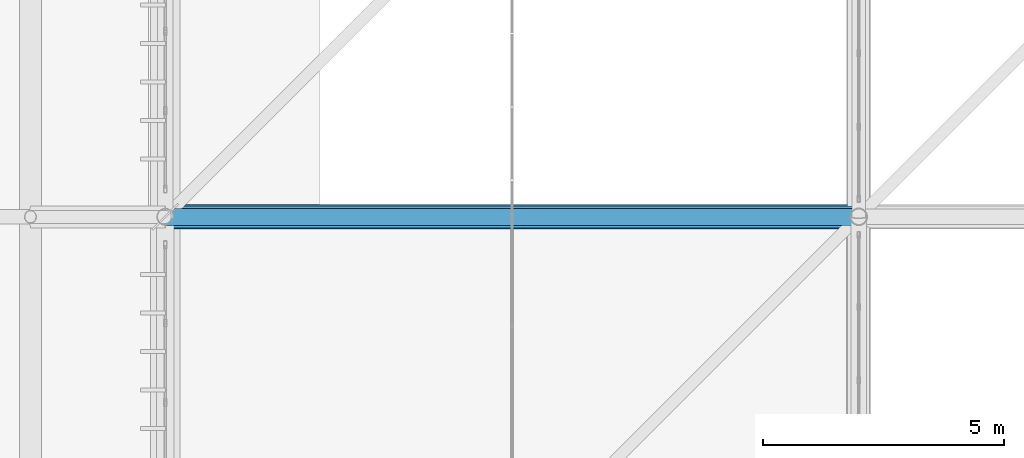
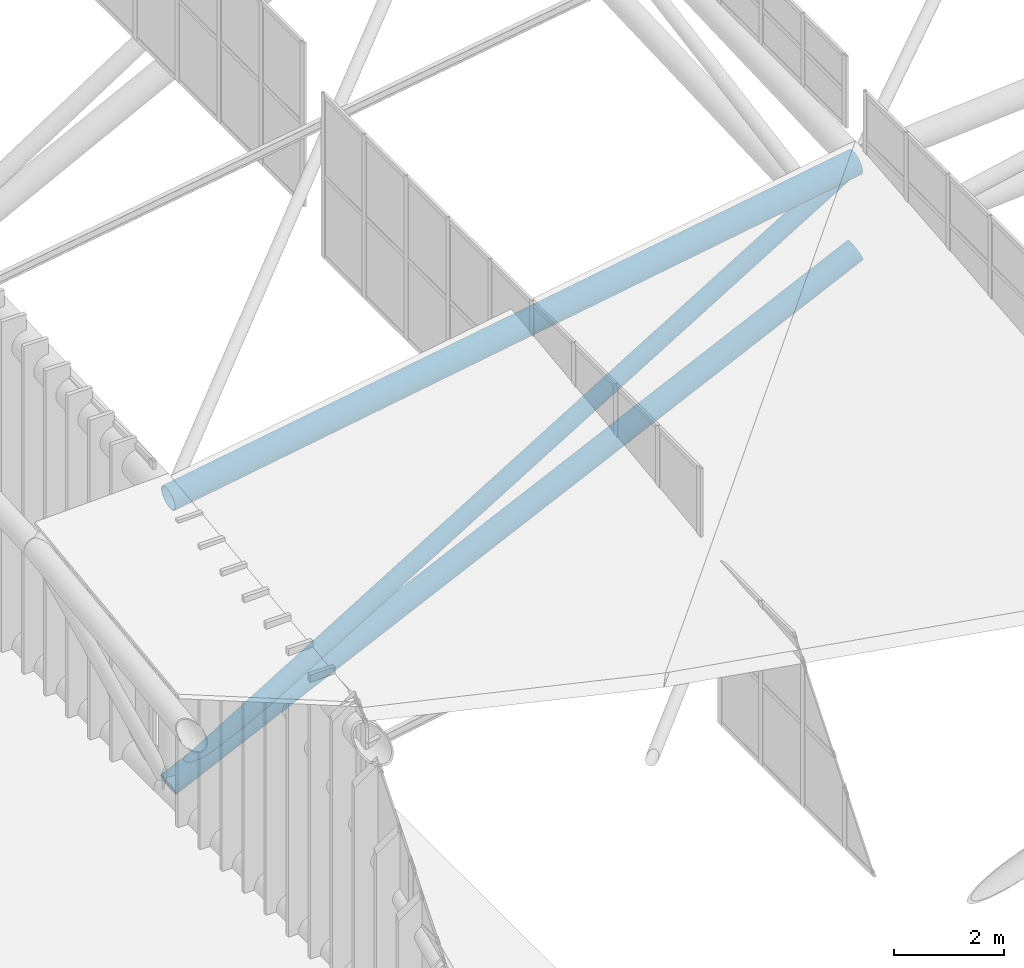
# One storey, part 59 of 397: 2 beams, 1 member.
"""IFC4 building model written with IfcOpenShell, lengths in metres."""

from ifc_helpers import new_model, si_unit, direction, frame, origin, origin_2d, place, context, subcontext, project, spatial, hollow_circle, extrude, material, material_profile, profile_set, type_object, element, save


model = new_model("IFC4")

# Units and contexts
model_context = context("Model", 3, precision=1e-05, world=origin(), true_north=direction((0.0, 1.0)))
body_context = subcontext(model_context, "Body", "Model", "MODEL_VIEW")
ifc_project = project(units=[si_unit("LENGTHUNIT", "METRE"), si_unit("AREAUNIT", "SQUARE_METRE"), si_unit("VOLUMEUNIT", "CUBIC_METRE"), si_unit("PLANEANGLEUNIT", "RADIAN"), si_unit("MASSUNIT", "GRAM", prefix="KILO")], contexts=[model_context])

# Site, building, storey
site_placement = place(None, origin())
site = spatial("IfcSite", under=ifc_project, at=site_placement, CompositionType="ELEMENT")
building_placement = place(site_placement, origin())
building = spatial("IfcBuilding", under=site, at=building_placement, Name="Qandorah Velis Arena", CompositionType="ELEMENT")
storey_placement = place(building_placement, frame((0.0, 0.0, 27.5)))
storey = spatial("IfcBuildingStorey", under=building, at=storey_placement, Name="RF", CompositionType="ELEMENT", Elevation=27.5)

# Beams
ifc_material = material(Name="Steel S355", Category="steel")
ifc_material_profile_1 = material_profile(ifc_material, hollow_circle(Radius=0.228515625, WallThickness=0.01611328125, at=origin_2d()), Name="CHS 457x16")
ifc_profile_set_1 = profile_set([ifc_material_profile_1], Name="Steel S355")
beam_type_1 = type_object("IfcBeamType", Name="STR-SFC-CHS457X16", PredefinedType="USERDEFINED", material=ifc_profile_set_1)
beam_1_placement = place(storey_placement, frame((14.39990234375, 43.199951171875, 0.10009765625), z_axis=(0.904065590353, 0.0, 0.427393739237), x_axis=(0.0, 1.0, 0.0)))
element("IfcBeam", 1, at=beam_1_placement, inside=storey, type_object=beam_type_1, Name="Space frame roof truss bottom chord X 0.2", ObjectType="ROOF TRUSS", PredefinedType="USERDEFINED", context=body_context, shape_type="SweptSolid", body=[
    extrude(hollow_circle(Radius=0.228515625, WallThickness=0.01611328125, at=origin_2d()), origin(), (0.0, 0.0, 1.0), 15.92822265625),
])
ifc_material_profile_2 = material_profile(ifc_material, hollow_circle(Radius=0.25390625, WallThickness=0.02001953125, at=origin_2d()), Name="CHS 508x20")
ifc_profile_set_2 = profile_set([ifc_material_profile_2], Name="Steel S355")
beam_type_2 = type_object("IfcBeamType", Name="STR-SFC-CHS508X20", PredefinedType="USERDEFINED", material=ifc_profile_set_2)
beam_2_placement = place(storey_placement, frame((14.39990234375, 43.199951171875, 6.448486328125), z_axis=(0.986292049543, 0.0, 0.165009069476), x_axis=(0.0, 1.0, 0.0)))
element("IfcBeam", 2, at=beam_2_placement, inside=storey, type_object=beam_type_2, Name="Space frame roof truss top chord X 0.2", ObjectType="ROOF TRUSS", PredefinedType="USERDEFINED", context=body_context, shape_type="SweptSolid", body=[
    extrude(hollow_circle(Radius=0.25390625, WallThickness=0.02001953125, at=origin_2d()), origin(), (0.0, 0.0, 1.0), 14.600341796875),
])

# Member
ifc_material_profile_3 = material_profile(ifc_material, hollow_circle(Radius=0.177734375, WallThickness=0.01611328125, at=origin_2d()), Name="CHS 355.6x16")
ifc_profile_set_3 = profile_set([ifc_material_profile_3], Name="Steel S355")
member_type = type_object("IfcMemberType", Name="STR-SFD-CHS355X16", PredefinedType="STRUT", material=ifc_profile_set_3)
member_placement = place(storey_placement, frame((14.39990234375, 43.199951171875, 0.10009765625), z_axis=(0.854402406795, 0.0, 0.519611900618), x_axis=(0.0, 1.0, 0.0)))
element("IfcMember", 3, at=member_placement, inside=storey, type_object=member_type, Name="Space frame roof diagonal X 0.2", PredefinedType="STRUT", context=body_context, shape_type="SweptSolid", body=[
    extrude(hollow_circle(Radius=0.177734375, WallThickness=0.01611328125, at=origin_2d()), origin(), (0.0, 0.0, 1.0), 16.85400390625),
])

save(model, "model.ifc")
